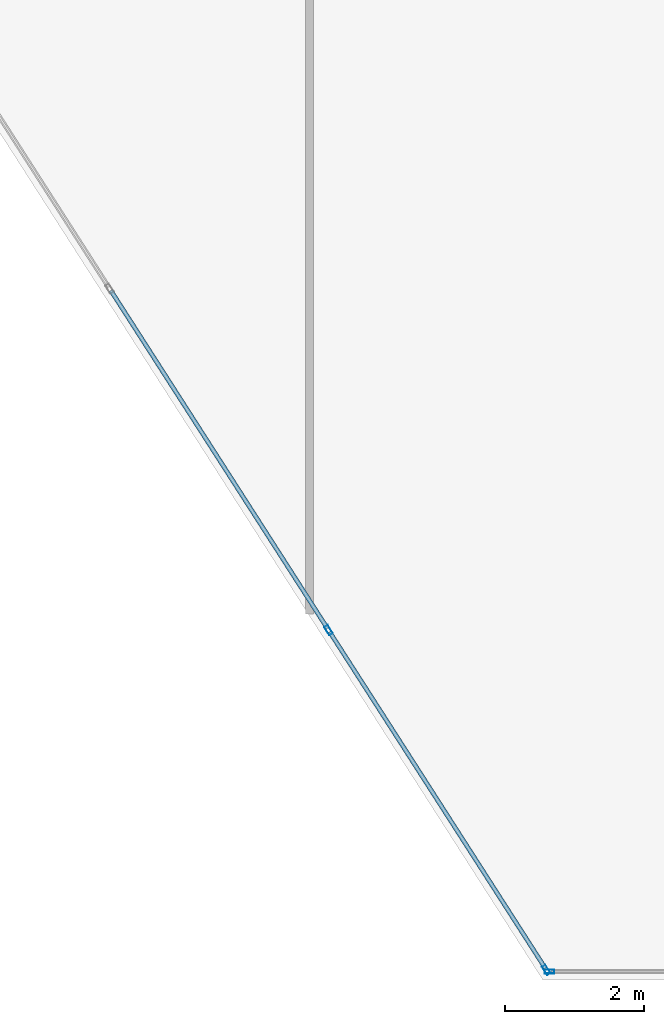
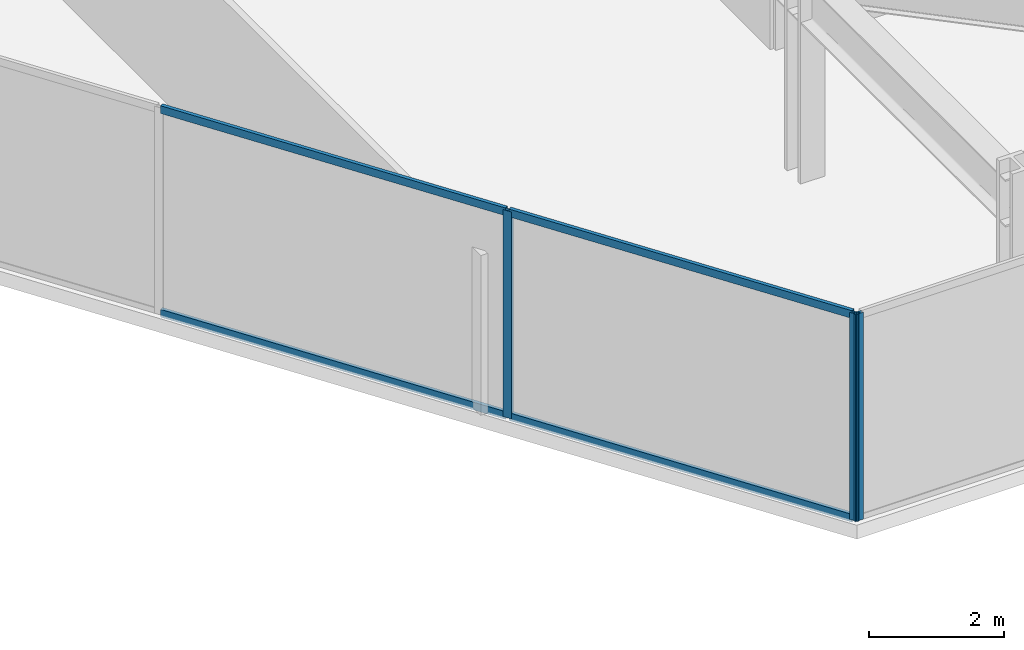
# One storey, part 9 of 20: 7 members, 2 elements without a shape of their own.
"""IFC4 building model written with IfcOpenShell, lengths in metres."""

from ifc_helpers import new_model, si_unit, direction, frame, origin, origin_2d, place, context, subcontext, project, spatial, hollow_rectangle, extrude, material, layer, layer_set, material_profile, profile_set, type_object, element, aggregate, save


model = new_model("IFC4")

# Units and contexts
model_context = context("Model", 3, precision=1e-05, world=origin(), true_north=direction((0.0, 1.0)))
body_context = subcontext(model_context, "Body", "Model", "MODEL_VIEW")
ifc_project = project(units=[si_unit("LENGTHUNIT", "METRE"), si_unit("AREAUNIT", "SQUARE_METRE"), si_unit("VOLUMEUNIT", "CUBIC_METRE"), si_unit("PLANEANGLEUNIT", "RADIAN"), si_unit("MASSUNIT", "GRAM", prefix="KILO")], contexts=[model_context])

# Site, building, storey
site_placement = place(None, origin())
site = spatial("IfcSite", under=ifc_project, at=site_placement, CompositionType="ELEMENT")
building_placement = place(site_placement, origin())
building = spatial("IfcBuilding", under=site, at=building_placement, Name="Kravanh Interchange Tower", CompositionType="ELEMENT")
storey_placement = place(building_placement, frame((0.0, 0.0, 104.0)))
storey = spatial("IfcBuildingStorey", under=building, at=storey_placement, Name="L24", CompositionType="ELEMENT", Elevation=104.0)

# Curtain wall, member
ifc_material_1 = material(Name="Anodised Bronze Aluminium", Category="aluminium")
ifc_layer = layer(ifc_material_1, 0.179931640625)
ifc_layer_set = layer_set([ifc_layer], Name="Unitised Curtain Wall System CW-Z2 Mid Office")
curtain_wall_type = type_object("IfcCurtainWallType", Name="Unitised Curtain Wall System CW-Z2 Mid Office", PredefinedType="NOTDEFINED", material=ifc_layer_set)
curtain_wall_1_placement = place(storey_placement, origin())
curtain_wall_1 = element("IfcCurtainWall", 1, at=curtain_wall_1_placement, inside=storey, type_object=curtain_wall_type, Name="L24 Unitised Curtain Wall CW-L24-02", PredefinedType="NOTDEFINED")
ifc_material_2 = material(Name="Anodised Bronze Aluminium", Category="aluminium")
ifc_material_profile_1 = material_profile(ifc_material_2, hollow_rectangle(XDim=0.06005859375, YDim=0.139892578125, WallThickness=0.00390625, at=origin_2d()), Name="ALU60X140X4")
ifc_profile_set_1 = profile_set([ifc_material_profile_1], Name="Anodised Bronze Aluminium")
member_type_1 = type_object("IfcMemberType", Name="Curtain Wall Mullion ALU60X140X4 Bronze", PredefinedType="MULLION", material=ifc_profile_set_1)
member_1_placement = place(storey_placement, frame((52.195556640625, 6.320068359375, 0.0), z_axis=(0.0, 0.0, 1.0), x_axis=(0.0, -1.0, 0.0)))
member_1 = element("IfcMember", 2, at=member_1_placement, type_object=member_type_1, Name="CW-Z2 mullion 3", PredefinedType="MULLION", context=body_context, shape_type="SweptSolid", body=[
    extrude(hollow_rectangle(XDim=0.06005859375, YDim=0.139892578125, WallThickness=0.00390625, at=origin_2d()), origin(), (0.0, 0.0, 1.0), 3.75),
])
aggregate(curtain_wall_1, [member_1])

# Curtain wall, members
curtain_wall_2_placement = place(storey_placement, origin())
curtain_wall_2 = element("IfcCurtainWall", 3, at=curtain_wall_2_placement, inside=storey, type_object=curtain_wall_type, Name="L24 Unitised Curtain Wall CW-L24-03", PredefinedType="NOTDEFINED")
member_2_placement = place(storey_placement, frame((52.1494140625, 6.34521484375, 0.0), z_axis=(0.0, 0.0, 1.0), x_axis=(-0.841879939476, -0.539664865919, 0.0)))
member_2 = element("IfcMember", 4, at=member_2_placement, type_object=member_type_1, Name="CW-Z2 mullion 1", PredefinedType="MULLION", context=body_context, shape_type="SweptSolid", body=[
    extrude(hollow_rectangle(XDim=0.06005859375, YDim=0.139892578125, WallThickness=0.00390625, at=origin_2d()), origin(), (0.0, 0.0, 1.0), 3.75),
])
member_3_placement = place(storey_placement, frame((49.024169921875, 11.220703125, 0.0), z_axis=(0.0, 0.0, 1.0), x_axis=(-0.841879939476, -0.539664865919, 0.0)))
member_3 = element("IfcMember", 5, at=member_3_placement, type_object=member_type_1, Name="CW-Z2 mullion 2", PredefinedType="MULLION", context=body_context, shape_type="SweptSolid", body=[
    extrude(hollow_rectangle(XDim=0.06005859375, YDim=0.139892578125, WallThickness=0.00390625, at=origin_2d()), origin(), (0.0, 0.0, 1.0), 3.75),
])
ifc_material_3 = material(Name="Anodised Bronze Aluminium", Category="aluminium")
ifc_material_profile_2 = material_profile(ifc_material_3, hollow_rectangle(XDim=0.06005859375, YDim=0.139892578125, WallThickness=0.00390625, at=origin_2d()), Name="ALU60X140X4")
ifc_profile_set_2 = profile_set([ifc_material_profile_2], Name="Anodised Bronze Aluminium")
member_type_2 = type_object("IfcMemberType", Name="Curtain Wall Transom ALU60X140X4 Bronze", PredefinedType="USERDEFINED", material=ifc_profile_set_2)
member_4_placement = place(storey_placement, frame((52.13330078125, 6.37060546875, 0.030029296875), z_axis=(-0.539697855812, 0.841858791266, 0.0), x_axis=(-0.841858791266, -0.539697855812, 0.0)))
member_4 = element("IfcMember", 6, at=member_4_placement, type_object=member_type_2, Name="CW-Z2 transom 1.1", ObjectType="TRANSOM", PredefinedType="USERDEFINED", context=body_context, shape_type="SweptSolid", body=[
    extrude(hollow_rectangle(XDim=0.06005859375, YDim=0.139892578125, WallThickness=0.00390625, at=origin_2d()), origin(), (0.0, 0.0, 1.0), 5.73095703125),
])
member_5_placement = place(storey_placement, frame((52.13330078125, 6.37060546875, 3.719970703125), z_axis=(-0.539697855812, 0.841858791266, 0.0), x_axis=(-0.841858791266, -0.539697855812, 0.0)))
member_5 = element("IfcMember", 7, at=member_5_placement, type_object=member_type_2, Name="CW-Z2 transom 1.2", ObjectType="TRANSOM", PredefinedType="USERDEFINED", context=body_context, shape_type="SweptSolid", body=[
    extrude(hollow_rectangle(XDim=0.06005859375, YDim=0.139892578125, WallThickness=0.00390625, at=origin_2d()), origin(), (0.0, 0.0, 1.0), 5.73095703125),
])
member_6_placement = place(storey_placement, frame((49.008056640625, 11.245849609375, 0.030029296875), z_axis=(-0.539677666788, 0.84187173368, 0.0), x_axis=(-0.84187173368, -0.539677666788, 0.0)))
member_6 = element("IfcMember", 8, at=member_6_placement, type_object=member_type_2, Name="CW-Z2 transom 2.1", ObjectType="TRANSOM", PredefinedType="USERDEFINED", context=body_context, shape_type="SweptSolid", body=[
    extrude(hollow_rectangle(XDim=0.06005859375, YDim=0.139892578125, WallThickness=0.00390625, at=origin_2d()), origin(), (0.0, 0.0, 1.0), 5.760986328125),
])
member_7_placement = place(storey_placement, frame((49.008056640625, 11.245849609375, 3.719970703125), z_axis=(-0.539677666788, 0.84187173368, 0.0), x_axis=(-0.84187173368, -0.539677666788, 0.0)))
member_7 = element("IfcMember", 9, at=member_7_placement, type_object=member_type_2, Name="CW-Z2 transom 2.2", ObjectType="TRANSOM", PredefinedType="USERDEFINED", context=body_context, shape_type="SweptSolid", body=[
    extrude(hollow_rectangle(XDim=0.06005859375, YDim=0.139892578125, WallThickness=0.00390625, at=origin_2d()), origin(), (0.0, 0.0, 1.0), 5.760986328125),
])
aggregate(curtain_wall_2, [member_2, member_3, member_4, member_5, member_6, member_7])

save(model, "model.ifc")
